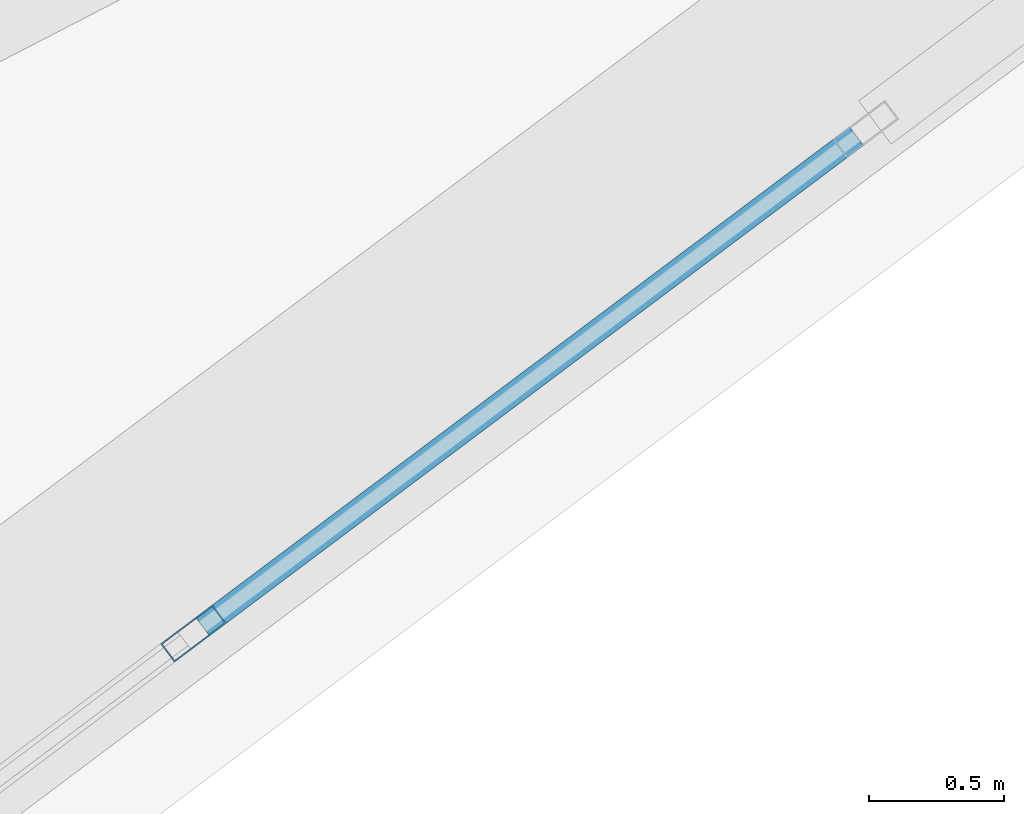
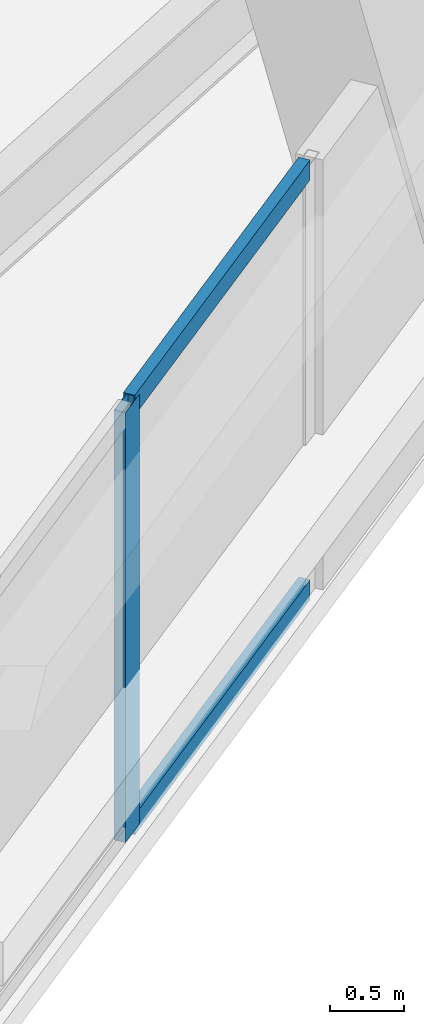
# One storey, part 40 of 75: 3 members, 1 element without a shape of its own.
"""IFC4 building model written with IfcOpenShell, lengths in metres."""

from ifc_helpers import new_model, si_unit, direction, frame, origin, origin_2d, place, context, subcontext, project, spatial, hollow_rectangle, extrude, material, material_profile, profile_set, type_object, element, aggregate, save


model = new_model("IFC4")

# Units and contexts
model_context = context("Model", 3, precision=1e-05, world=origin(), true_north=direction((0.0, 1.0)))
body_context = subcontext(model_context, "Body", "Model", "MODEL_VIEW")
ifc_project = project(units=[si_unit("LENGTHUNIT", "METRE"), si_unit("AREAUNIT", "SQUARE_METRE"), si_unit("VOLUMEUNIT", "CUBIC_METRE"), si_unit("PLANEANGLEUNIT", "RADIAN"), si_unit("MASSUNIT", "GRAM", prefix="KILO")], contexts=[model_context])

# Site, building, storey
site_placement = place(None, origin())
site = spatial("IfcSite", under=ifc_project, at=site_placement, CompositionType="ELEMENT")
building_placement = place(site_placement, origin())
building = spatial("IfcBuilding", under=site, at=building_placement, Name="Tashvorn Skyway Center", CompositionType="ELEMENT")
storey_placement = place(building_placement, frame((0.0, 0.0, 45.89990234375)))
storey = spatial("IfcBuildingStorey", under=building, at=storey_placement, Name="L11", CompositionType="ELEMENT", Elevation=45.89990234375)

# Curtain wall, members
ifc_material = material(Name="Thermally broken bronze-anodized aluminium 6063-T6", Category="aluminium")
curtain_wall_type = type_object("IfcCurtainWallType", Name="CW-CW-Z1", PredefinedType="NOTDEFINED", material=ifc_material)
curtain_wall_placement = place(storey_placement, origin())
curtain_wall = element("IfcCurtainWall", 1, at=curtain_wall_placement, inside=storey, type_object=curtain_wall_type, Name="Tower 2 L11 South Unitised Curtain Wall Glazing Group 3", PredefinedType="NOTDEFINED")
ifc_material_profile_1 = material_profile(ifc_material, hollow_rectangle(XDim=0.0849609375, YDim=0.239990234375, WallThickness=0.0048828125, at=origin_2d()), Name="ALU-MULL-85x240")
ifc_profile_set_1 = profile_set([ifc_material_profile_1], Name="Thermally broken bronze-anodized aluminium 6063-T6")
member_type_1 = type_object("IfcMemberType", Name="CWM-CW-Z1", PredefinedType="MULLION", material=ifc_profile_set_1)
member_1_placement = place(storey_placement, frame((114.42138671875, 5.216064453125, 0.0), z_axis=(0.0, 0.0, 1.0), x_axis=(0.599997457641, -0.800001906763, 0.0)))
member_1 = element("IfcMember", 2, at=member_1_placement, type_object=member_type_1, Name="CW-Z1 mullion 2", PredefinedType="MULLION", context=body_context, shape_type="SweptSolid", body=[
    extrude(hollow_rectangle(XDim=0.0849609375, YDim=0.239990234375, WallThickness=0.0048828125, at=origin_2d()), origin(), (0.0, 0.0, 1.0), 3.550048828125),
])
ifc_material_profile_2 = material_profile(ifc_material, hollow_rectangle(XDim=0.0849609375, YDim=0.1650390625, WallThickness=0.0048828125, at=origin_2d()), Name="ALU-TRAN-85x165")
ifc_profile_set_2 = profile_set([ifc_material_profile_2], Name="Thermally broken bronze-anodized aluminium 6063-T6")
member_type_2 = type_object("IfcMemberType", Name="CWT-CW-Z1", PredefinedType="USERDEFINED", material=ifc_profile_set_2)
member_2_placement = place(storey_placement, frame((116.87060546875, 7.052978515625, 0.04248046875), z_axis=(-0.799990296182, -0.600012938206, 0.0), x_axis=(0.600012938206, -0.799990296182, 0.0)))
member_2 = element("IfcMember", 3, at=member_2_placement, type_object=member_type_2, Name="CW-Z1 transom 1.1", ObjectType="TRANSOM", PredefinedType="USERDEFINED", context=body_context, shape_type="SweptSolid", body=[
    extrude(hollow_rectangle(XDim=0.0849609375, YDim=0.1650390625, WallThickness=0.0048828125, at=origin_2d()), origin(), (0.0, 0.0, 1.0), 3.01904296875),
])
member_3_placement = place(storey_placement, frame((116.87060546875, 7.052978515625, 3.507568359375), z_axis=(-0.799990296182, -0.600012938206, 0.0), x_axis=(0.600012938206, -0.799990296182, 0.0)))
member_3 = element("IfcMember", 4, at=member_3_placement, type_object=member_type_2, Name="CW-Z1 transom 1.2", ObjectType="TRANSOM", PredefinedType="USERDEFINED", context=body_context, shape_type="SweptSolid", body=[
    extrude(hollow_rectangle(XDim=0.0849609375, YDim=0.1650390625, WallThickness=0.0048828125, at=origin_2d()), origin(), (0.0, 0.0, 1.0), 3.01904296875),
])
aggregate(curtain_wall, [member_1, member_2, member_3])

save(model, "model.ifc")
